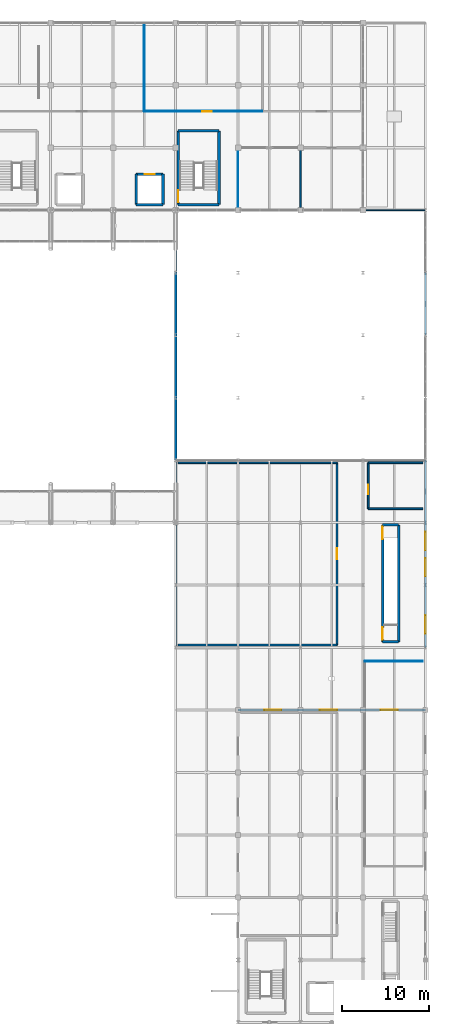
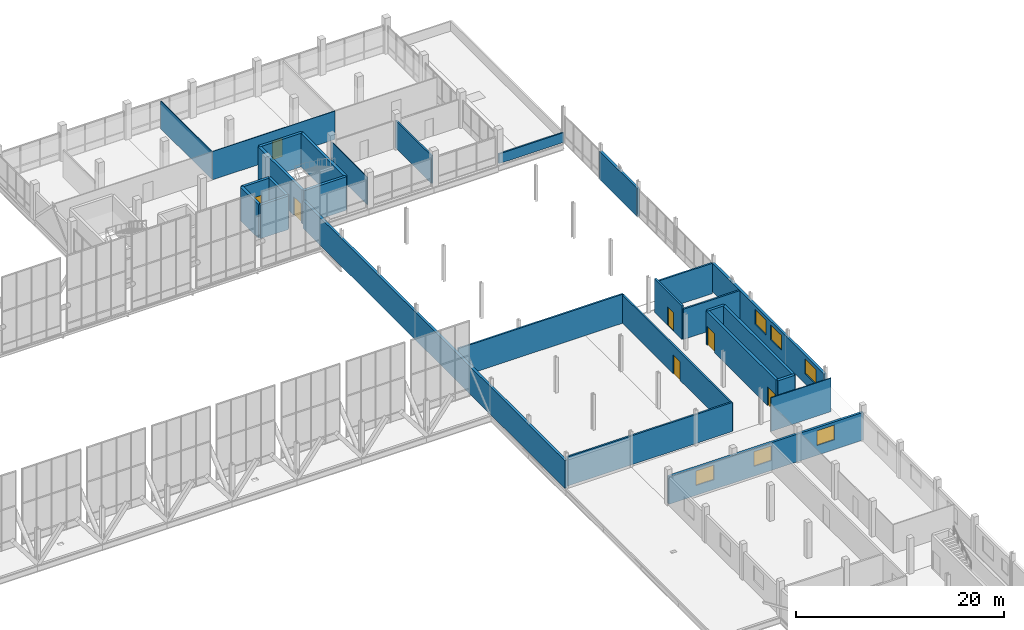
# One storey, part 95 of 102: 28 walls, 7 doors, 6 windows, 13 openings.
"""IFC4 building model written with IfcOpenShell, lengths in metres."""

from ifc_helpers import new_model, si_unit, direction, frame, frame_2d, origin, place, context, subcontext, project, spatial, rectangle, extrude, material, layer, layer_set, type_object, element, fill, save


model = new_model("IFC4")

# Units and contexts
model_context = context("Model", 3, precision=1e-05, world=origin(), true_north=direction((0.0, 1.0)))
body_context = subcontext(model_context, "Body", "Model", "MODEL_VIEW")
ifc_project = project(units=[si_unit("LENGTHUNIT", "METRE"), si_unit("AREAUNIT", "SQUARE_METRE"), si_unit("VOLUMEUNIT", "CUBIC_METRE"), si_unit("PLANEANGLEUNIT", "RADIAN"), si_unit("MASSUNIT", "GRAM", prefix="KILO")], contexts=[model_context])

# Site, building, storey
site_placement = place(None, origin())
site = spatial("IfcSite", under=ifc_project, at=site_placement, CompositionType="ELEMENT")
building_placement = place(site_placement, origin())
building = spatial("IfcBuilding", under=site, at=building_placement, Name="Yarey Park Central Fire Station", CompositionType="ELEMENT")
storey_placement = place(building_placement, frame((0.0, 0.0, 6.0)))
storey = spatial("IfcBuildingStorey", under=building, at=storey_placement, Name="L02", CompositionType="ELEMENT", Elevation=6.0)

# Wall, openings, windows
ifc_material_1 = material(Name="Concrete C35/45", Category="concrete")
ifc_layer_1 = layer(ifc_material_1, 0.280029296875)
ifc_layer_set_1 = layer_set([ifc_layer_1], Name="Concrete C35/45")
wall_type_1 = type_object("IfcWallType", Name="ENV_WALL_CMU280", PredefinedType="STANDARD", material=ifc_layer_set_1)
wall_1_placement = place(storey_placement, frame((165.60009765625, 43.199951171875, 0.0), z_axis=(0.0, 0.0, 1.0), x_axis=(0.0, 1.0, 0.0)))
wall_1 = element("IfcWall", 1, at=wall_1_placement, inside=storey, type_object=wall_type_1, Name="EW_L02_V5_E1", PredefinedType="STANDARD", context=body_context, shape_type="SweptSolid", body=[
    extrude(rectangle(XDim=21.60009765625, YDim=0.280029296875, at=frame_2d((10.800048828125, 0.0))), origin(), (0.0, 0.0, 1.0), 3.326904296875),
])
opening_1_placement = place(wall_1_placement, frame((1.60009765625, 0.0, 1.14990234375)))
opening_1 = element("IfcOpeningElement", 2, at=opening_1_placement, cuts=wall_1, Name="Opening WN-P212", PredefinedType="OPENING", context=body_context, shape_type="SweptSolid", body=[
    extrude(rectangle(XDim=2.1201171875, YDim=1.760009765625, at=frame_2d((1.06005859375, 0.8798828125))), frame((0.0, 0.14990234375, 0.0), z_axis=(0.0, -1.0, 0.0), x_axis=(1.0, 0.0, 0.0)), (0.0, 0.0, 1.0), 0.300048828125),
])
opening_2_placement = place(wall_1_placement, frame((8.199951171875, 0.0, 1.14990234375)))
opening_2 = element("IfcOpeningElement", 3, at=opening_2_placement, cuts=wall_1, Name="Opening WN-P212", PredefinedType="OPENING", context=body_context, shape_type="SweptSolid", body=[
    extrude(rectangle(XDim=2.1201171875, YDim=1.760009765625, at=frame_2d((1.06005859375, 0.8798828125))), frame((0.0, 0.14990234375, 0.0), z_axis=(0.0, -1.0, 0.0), x_axis=(1.0, 0.0, 0.0)), (0.0, 0.0, 1.0), 0.300048828125),
])
opening_3_placement = place(wall_1_placement, frame((11.199951171875, 0.0, 1.14990234375)))
opening_3 = element("IfcOpeningElement", 4, at=opening_3_placement, cuts=wall_1, Name="Opening WN-P212", PredefinedType="OPENING", context=body_context, shape_type="SweptSolid", body=[
    extrude(rectangle(XDim=2.1201171875, YDim=1.760009765625, at=frame_2d((1.06005859375, 0.8798828125))), frame((0.0, 0.14990234375, 0.0), z_axis=(0.0, -1.0, 0.0), x_axis=(1.0, 0.0, 0.0)), (0.0, 0.0, 1.0), 0.300048828125),
])
ifc_material_2 = material(Name="Laminated Hurricane Low-E Glass", Category="glass")
window_type_1 = type_object("IfcWindowType", Name="ENV_WIN_PUNCH_212", PartitioningType="SINGLE_PANEL", PredefinedType="WINDOW", material=ifc_material_2)
window_1_placement = place(opening_1_placement, origin())
window_1 = element("IfcWindow", 5, at=window_1_placement, inside=storey, type_object=window_type_1, Name="WIN_L02_V5E1_1", OverallHeight=1.760009765625, OverallWidth=2.1201171875, PartitioningType="SINGLE_PANEL", PredefinedType="WINDOW", context=body_context, shape_type="SweptSolid", body=[
    extrude(rectangle(XDim=2.1201171875, YDim=1.760009765625, at=frame_2d((1.06005859375, 0.8798828125))), frame((0.0, 0.030029296875, 0.0), z_axis=(0.0, -1.0, 0.0), x_axis=(1.0, 0.0, 0.0)), (0.0, 0.0, 1.0), 0.06005859375),
])
fill(opening_1, window_1)
window_2_placement = place(opening_2_placement, origin())
window_2 = element("IfcWindow", 6, at=window_2_placement, inside=storey, type_object=window_type_1, Name="WIN_L02_V5E1_2", OverallHeight=1.760009765625, OverallWidth=2.1201171875, PartitioningType="SINGLE_PANEL", PredefinedType="WINDOW", context=body_context, shape_type="SweptSolid", body=[
    extrude(rectangle(XDim=2.1201171875, YDim=1.760009765625, at=frame_2d((1.06005859375, 0.8798828125))), frame((0.0, 0.030029296875, 0.0), z_axis=(0.0, -1.0, 0.0), x_axis=(1.0, 0.0, 0.0)), (0.0, 0.0, 1.0), 0.06005859375),
])
fill(opening_2, window_2)
window_3_placement = place(opening_3_placement, origin())
window_3 = element("IfcWindow", 7, at=window_3_placement, inside=storey, type_object=window_type_1, Name="WIN_L02_V5E1_3", OverallHeight=1.760009765625, OverallWidth=2.1201171875, PartitioningType="SINGLE_PANEL", PredefinedType="WINDOW", context=body_context, shape_type="SweptSolid", body=[
    extrude(rectangle(XDim=2.1201171875, YDim=1.760009765625, at=frame_2d((1.06005859375, 0.8798828125))), frame((0.0, 0.030029296875, 0.0), z_axis=(0.0, -1.0, 0.0), x_axis=(1.0, 0.0, 0.0)), (0.0, 0.0, 1.0), 0.06005859375),
])
fill(opening_3, window_3)

# Walls
wall_2_placement = place(storey_placement, frame((165.60009765625, 79.199951171875, 0.0), z_axis=(0.0, 0.0, 1.0), x_axis=(0.0, 1.0, 0.0)))
element("IfcWall", 8, at=wall_2_placement, inside=storey, type_object=wall_type_1, Name="EW_L02_V5_E2", PredefinedType="STANDARD", context=body_context, shape_type="SweptSolid", body=[
    extrude(rectangle(XDim=7.199951171875, YDim=0.280029296875, at=frame_2d((3.60009765625, 0.0))), origin(), (0.0, 0.0, 1.0), 3.326904296875),
])
wall_3_placement = place(storey_placement, frame((136.800048828125, 93.60009765625, 0.0), z_axis=(0.0, 0.0, 1.0), x_axis=(0.0, -1.0, 0.0)))
element("IfcWall", 9, at=wall_3_placement, inside=storey, type_object=wall_type_1, Name="EW_L02_V5_W", PredefinedType="STANDARD", context=body_context, shape_type="SweptSolid", body=[
    extrude(rectangle(XDim=50.400146484375, YDim=0.280029296875, at=frame_2d((25.2001953125, 0.0))), origin(), (0.0, 0.0, 1.0), 3.2470703125),
])
ifc_layer_2 = layer(ifc_material_1, 0.1650390625)
ifc_layer_set_2 = layer_set([ifc_layer_2], Name="Concrete C35/45")
wall_type_2 = type_object("IfcWallType", Name="ENV_WALL_PAR165", PredefinedType="PARAPET", material=ifc_layer_set_2)
wall_4_placement = place(storey_placement, frame((158.39990234375, 93.60009765625, 0.0), z_axis=(0.0, 0.0, 1.0), x_axis=(1.0, 0.0, 0.0)))
element("IfcWall", 10, at=wall_4_placement, inside=storey, type_object=wall_type_2, Name="PAR_L02_06", PredefinedType="PARAPET", context=body_context, shape_type="SweptSolid", body=[
    extrude(rectangle(XDim=7.2001953125, YDim=0.1650390625, at=frame_2d((3.60009765625, 0.0))), origin(), (0.0, 0.0, 1.0), 1.14990234375),
])

# Wall, openings, windows
ifc_material_3 = material(Name="Concrete C40/50", Category="concrete")
ifc_layer_3 = layer(ifc_material_3, 0.2548828125)
ifc_layer_set_3 = layer_set([ifc_layer_3], Name="Concrete C40/50")
wall_type_3 = type_object("IfcWallType", Name="ENV_WALL_RC255", PredefinedType="STANDARD", material=ifc_layer_set_3)
wall_5_placement = place(storey_placement, frame((165.60009765625, 36.0, 0.0), z_axis=(0.0, 0.0, 1.0), x_axis=(-1.0, 0.0, 0.0)))
wall_5 = element("IfcWall", 11, at=wall_5_placement, inside=storey, type_object=wall_type_3, Name="EW_L02_V6_SMKN", PredefinedType="STANDARD", context=body_context, shape_type="SweptSolid", body=[
    extrude(rectangle(XDim=21.60009765625, YDim=0.2548828125, at=frame_2d((10.800048828125, 0.0))), origin(), (0.0, 0.0, 1.0), 3.25),
])
opening_4_placement = place(wall_5_placement, frame((3.199951171875, 0.0, 1.14990234375)))
opening_4 = element("IfcOpeningElement", 12, at=opening_4_placement, cuts=wall_5, Name="Opening WN-P198", PredefinedType="OPENING", context=body_context, shape_type="SweptSolid", body=[
    extrude(rectangle(XDim=1.97998046875, YDim=1.719970703125, at=frame_2d((0.989990234375, 0.85986328125))), frame((0.0, 0.137451171875, 0.0), z_axis=(0.0, -1.0, 0.0), x_axis=(1.0, 0.0, 0.0)), (0.0, 0.0, 1.0), 0.27490234375),
])
opening_5_placement = place(wall_5_placement, frame((10.199951171875, 0.0, 1.14990234375)))
opening_5 = element("IfcOpeningElement", 13, at=opening_5_placement, cuts=wall_5, Name="Opening WN-P198", PredefinedType="OPENING", context=body_context, shape_type="SweptSolid", body=[
    extrude(rectangle(XDim=1.97998046875, YDim=1.719970703125, at=frame_2d((0.989990234375, 0.85986328125))), frame((0.0, 0.137451171875, 0.0), z_axis=(0.0, -1.0, 0.0), x_axis=(1.0, 0.0, 0.0)), (0.0, 0.0, 1.0), 0.27490234375),
])
opening_6_placement = place(wall_5_placement, frame((16.60009765625, 0.0, 1.14990234375)))
opening_6 = element("IfcOpeningElement", 14, at=opening_6_placement, cuts=wall_5, Name="Opening WN-P198", PredefinedType="OPENING", context=body_context, shape_type="SweptSolid", body=[
    extrude(rectangle(XDim=1.97998046875, YDim=1.719970703125, at=frame_2d((0.989990234375, 0.85986328125))), frame((0.0, 0.137451171875, 0.0), z_axis=(0.0, -1.0, 0.0), x_axis=(1.0, 0.0, 0.0)), (0.0, 0.0, 1.0), 0.27490234375),
])
window_type_2 = type_object("IfcWindowType", Name="ENV_WIN_PUNCH_198", PartitioningType="SINGLE_PANEL", PredefinedType="WINDOW", material=ifc_material_2)
window_4_placement = place(opening_4_placement, origin())
window_4 = element("IfcWindow", 15, at=window_4_placement, inside=storey, type_object=window_type_2, Name="WIN_L02_SMKN_1", OverallHeight=1.719970703125, OverallWidth=1.97998046875, PartitioningType="SINGLE_PANEL", PredefinedType="WINDOW", context=body_context, shape_type="SweptSolid", body=[
    extrude(rectangle(XDim=1.97998046875, YDim=1.719970703125, at=frame_2d((0.989990234375, 0.85986328125))), frame((0.0, 0.030029296875, 0.0), z_axis=(0.0, -1.0, 0.0), x_axis=(1.0, 0.0, 0.0)), (0.0, 0.0, 1.0), 0.06005859375),
])
fill(opening_4, window_4)
window_5_placement = place(opening_5_placement, origin())
window_5 = element("IfcWindow", 16, at=window_5_placement, inside=storey, type_object=window_type_2, Name="WIN_L02_SMKN_2", OverallHeight=1.719970703125, OverallWidth=1.97998046875, PartitioningType="SINGLE_PANEL", PredefinedType="WINDOW", context=body_context, shape_type="SweptSolid", body=[
    extrude(rectangle(XDim=1.97998046875, YDim=1.719970703125, at=frame_2d((0.989990234375, 0.85986328125))), frame((0.0, 0.030029296875, 0.0), z_axis=(0.0, -1.0, 0.0), x_axis=(1.0, 0.0, 0.0)), (0.0, 0.0, 1.0), 0.06005859375),
])
fill(opening_5, window_5)
window_6_placement = place(opening_6_placement, origin())
window_6 = element("IfcWindow", 17, at=window_6_placement, inside=storey, type_object=window_type_2, Name="WIN_L02_SMKN_3", OverallHeight=1.719970703125, OverallWidth=1.97998046875, PartitioningType="SINGLE_PANEL", PredefinedType="WINDOW", context=body_context, shape_type="SweptSolid", body=[
    extrude(rectangle(XDim=1.97998046875, YDim=1.719970703125, at=frame_2d((0.989990234375, 0.85986328125))), frame((0.0, 0.030029296875, 0.0), z_axis=(0.0, -1.0, 0.0), x_axis=(1.0, 0.0, 0.0)), (0.0, 0.0, 1.0), 0.06005859375),
])
fill(opening_6, window_6)

# Wall
ifc_layer_4 = layer(ifc_material_3, 0.27001953125)
ifc_layer_set_4 = layer_set([ifc_layer_4], Name="Concrete C40/50")
wall_type_4 = type_object("IfcWallType", Name="INT_CORE_RC270", PredefinedType="SHEAR", material=ifc_layer_set_4)
wall_6_placement = place(storey_placement, frame((132.25, 94.25, 0.0), z_axis=(0.0, 0.0, 1.0), x_axis=(1.0, 0.0, 0.0)))
element("IfcWall", 18, at=wall_6_placement, inside=storey, type_object=wall_type_4, Name="LWALL_C2_L02_S", PredefinedType="SHEAR", context=body_context, shape_type="SweptSolid", body=[
    extrude(rectangle(XDim=3.10009765625, YDim=0.300048828125, at=frame_2d((1.550048828125, 0.0))), origin(), (0.0, 0.0, 1.0), 3.93994140625),
])

# Wall, opening, door
wall_7_placement = place(storey_placement, frame((135.35009765625, 97.75, 0.0), z_axis=(0.0, 0.0, 1.0), x_axis=(-1.0, 0.0, 0.0)))
wall_7 = element("IfcWall", 19, at=wall_7_placement, inside=storey, type_object=wall_type_4, Name="LWALL_C2_L02_N", PredefinedType="SHEAR", context=body_context, shape_type="SweptSolid", body=[
    extrude(rectangle(XDim=3.10009765625, YDim=0.300048828125, at=frame_2d((1.550048828125, 0.0))), origin(), (0.0, 0.0, 1.0), 3.93994140625),
])
opening_7_placement = place(wall_7_placement, frame((0.97998046875, 0.0, 0.0)))
opening_7 = element("IfcOpeningElement", 20, at=opening_7_placement, cuts=wall_7, Name="Opening LD-11B", PredefinedType="OPENING", context=body_context, shape_type="SweptSolid", body=[
    extrude(rectangle(XDim=1.139892578125, YDim=2.239990234375, at=frame_2d((0.56982421875, 1.1201171875))), frame((0.0, 0.159912109375, 0.0), z_axis=(0.0, -1.0, 0.0), x_axis=(1.0, 0.0, 0.0)), (0.0, 0.0, 1.0), 0.320068359375),
])
ifc_material_4 = material(Name="Stainless Steel AISI 316L", Category="steel")
door_type_1 = type_object("IfcDoorType", Name="DR_LD_1140", OperationType="NOTDEFINED", PredefinedType="DOOR", material=ifc_material_4)
door_1_placement = place(opening_7_placement, origin())
door_1 = element("IfcDoor", 21, at=door_1_placement, inside=storey, type_object=door_type_1, Name="Lift Landing Door LF-2-L02", OperationType="SLIDING_TO_LEFT", OverallHeight=2.239990234375, OverallWidth=1.139892578125, PredefinedType="DOOR", context=body_context, shape_type="SweptSolid", body=[
    extrude(rectangle(XDim=1.139892578125, YDim=2.239990234375, at=frame_2d((0.56982421875, 1.1201171875))), frame((0.0, 0.02490234375, 0.0), z_axis=(0.0, -1.0, 0.0), x_axis=(1.0, 0.0, 0.0)), (0.0, 0.0, 1.0), 0.050048828125),
])
fill(opening_7, door_1)

# Walls
for number, where, z_axis, x_axis, name in (
    (22, (132.25, 97.75, 0.0), (0.0, 0.0, 1.0), (0.0, -1.0, 0.0), "LWALL_C2_L02_W"),
    (23, (135.35009765625, 94.25, 0.0), (0.0, 0.0, 1.0), (0.0, 1.0, 0.0), "LWALL_C2_L02_E"),
):
    element("IfcWall", number, at=place(storey_placement, frame(where, z_axis=z_axis, x_axis=x_axis)), inside=storey, type_object=wall_type_4, Name=name, PredefinedType="SHEAR", context=body_context, shape_type="SweptSolid", body=[
        extrude(rectangle(XDim=3.5, YDim=0.300048828125, at=frame_2d((1.75, 0.0))), origin(), (0.0, 0.0, 1.0), 3.93994140625),
    ])
for number, where, z_axis, x_axis, name in (
    (24, (160.64990234375, 43.85009765625, 0.0), (0.0, 0.0, 1.0), (1.0, 0.0, 0.0), "CWALL_C7_L02_S"),
    (25, (162.5, 57.35009765625, 0.0), (0.0, 0.0, 1.0), (-1.0, 0.0, 0.0), "CWALL_C7_L02_N"),
):
    element("IfcWall", number, at=place(storey_placement, frame(where, z_axis=z_axis, x_axis=x_axis)), inside=storey, type_object=wall_type_4, Name=name, PredefinedType="SHEAR", context=body_context, shape_type="SweptSolid", body=[
        extrude(rectangle(XDim=1.85009765625, YDim=0.300048828125, at=frame_2d((0.925048828125, 0.0))), origin(), (0.0, 0.0, 1.0), 3.93994140625),
    ])

# Wall, openings, doors
wall_8_placement = place(storey_placement, frame((160.64990234375, 57.35009765625, 0.0), z_axis=(0.0, 0.0, 1.0), x_axis=(0.0, -1.0, 0.0)))
wall_8 = element("IfcWall", 26, at=wall_8_placement, inside=storey, type_object=wall_type_4, Name="CWALL_C7_L02_W", PredefinedType="SHEAR", context=body_context, shape_type="SweptSolid", body=[
    extrude(rectangle(XDim=13.5, YDim=0.300048828125, at=frame_2d((6.75, 0.0))), origin(), (0.0, 0.0, 1.0), 3.93994140625),
])
opening_8_placement = place(wall_8_placement, frame((11.830078125, 0.0, 0.0)))
opening_8 = element("IfcOpeningElement", 27, at=opening_8_placement, cuts=wall_8, Name="Opening SD-142", PredefinedType="OPENING", context=body_context, shape_type="SweptSolid", body=[
    extrude(rectangle(XDim=1.419921875, YDim=2.219970703125, at=frame_2d((0.7099609375, 1.10986328125))), frame((0.0, 0.159912109375, 0.0), z_axis=(0.0, -1.0, 0.0), x_axis=(1.0, 0.0, 0.0)), (0.0, 0.0, 1.0), 0.320068359375),
])
opening_9_placement = place(wall_8_placement, frame((0.219970703125, 0.0, 0.0)))
opening_9 = element("IfcOpeningElement", 28, at=opening_9_placement, cuts=wall_8, Name="Opening SD-142", PredefinedType="OPENING", context=body_context, shape_type="SweptSolid", body=[
    extrude(rectangle(XDim=1.419921875, YDim=2.219970703125, at=frame_2d((0.7099609375, 1.10986328125))), frame((0.0, 0.159912109375, 0.0), z_axis=(0.0, -1.0, 0.0), x_axis=(1.0, 0.0, 0.0)), (0.0, 0.0, 1.0), 0.320068359375),
])
ifc_material_5 = material(Name="Galvanized Hollow Metal Door", Category="metal")
door_type_2 = type_object("IfcDoorType", Name="DR_STAIR_1420", OperationType="NOTDEFINED", PredefinedType="DOOR", material=ifc_material_5)
door_2_placement = place(opening_8_placement, origin())
door_2 = element("IfcDoor", 29, at=door_2_placement, inside=storey, type_object=door_type_2, Name="DOOR_STAIR_C7_L02", OperationType="SINGLE_SWING_LEFT", OverallHeight=2.219970703125, OverallWidth=1.419921875, PredefinedType="DOOR", context=body_context, shape_type="SweptSolid", body=[
    extrude(rectangle(XDim=1.419921875, YDim=2.219970703125, at=frame_2d((0.7099609375, 1.10986328125))), frame((0.0, 0.02490234375, 0.0), z_axis=(0.0, -1.0, 0.0), x_axis=(1.0, 0.0, 0.0)), (0.0, 0.0, 1.0), 0.050048828125),
])
fill(opening_8, door_2)
door_3_placement = place(opening_9_placement, origin())
door_3 = element("IfcDoor", 30, at=door_3_placement, inside=storey, type_object=door_type_2, Name="DOOR_STAIR_C7_L02_ARR", OperationType="SINGLE_SWING_RIGHT", OverallHeight=2.219970703125, OverallWidth=1.419921875, PredefinedType="DOOR", context=body_context, shape_type="SweptSolid", body=[
    extrude(rectangle(XDim=1.419921875, YDim=2.219970703125, at=frame_2d((0.7099609375, 1.10986328125))), frame((0.0, 0.02490234375, 0.0), z_axis=(0.0, -1.0, 0.0), x_axis=(1.0, 0.0, 0.0)), (0.0, 0.0, 1.0), 0.050048828125),
])
fill(opening_9, door_3)

# Walls
wall_9_placement = place(storey_placement, frame((162.5, 43.85009765625, 0.0), z_axis=(0.0, 0.0, 1.0), x_axis=(0.0, 1.0, 0.0)))
element("IfcWall", 31, at=wall_9_placement, inside=storey, type_object=wall_type_4, Name="CWALL_C7_L02_E", PredefinedType="SHEAR", context=body_context, shape_type="SweptSolid", body=[
    extrude(rectangle(XDim=13.5, YDim=0.300048828125, at=frame_2d((6.75, 0.0))), origin(), (0.0, 0.0, 1.0), 3.93994140625),
])
ifc_layer_5 = layer(ifc_material_3, 0.300048828125)
ifc_layer_set_5 = layer_set([ifc_layer_5], Name="Concrete C40/50")
wall_type_5 = type_object("IfcWallType", Name="INT_CORE_RC300", PredefinedType="SHEAR", material=ifc_layer_set_5)
for number, where, z_axis, x_axis, name in (
    (32, (137.10009765625, 94.25, 0.0), (0.0, 0.0, 1.0), (1.0, 0.0, 0.0), "CWALL_C2_L02_S"),
    (33, (141.800048828125, 102.75, 0.0), (0.0, 0.0, 1.0), (-1.0, 0.0, 0.0), "CWALL_C2_L02_N"),
):
    element("IfcWall", number, at=place(storey_placement, frame(where, z_axis=z_axis, x_axis=x_axis)), inside=storey, type_object=wall_type_5, Name=name, PredefinedType="SHEAR", context=body_context, shape_type="SweptSolid", body=[
        extrude(rectangle(XDim=4.699951171875, YDim=0.300048828125, at=frame_2d((2.35009765625, 0.0))), origin(), (0.0, 0.0, 1.0), 3.93994140625),
    ])

# Wall, opening, door
wall_10_placement = place(storey_placement, frame((137.10009765625, 102.75, 0.0), z_axis=(0.0, 0.0, 1.0), x_axis=(0.0, -1.0, 0.0)))
wall_10 = element("IfcWall", 34, at=wall_10_placement, inside=storey, type_object=wall_type_5, Name="CWALL_C2_L02_W", PredefinedType="SHEAR", context=body_context, shape_type="SweptSolid", body=[
    extrude(rectangle(XDim=8.5, YDim=0.300048828125, at=frame_2d((4.25, 0.0))), origin(), (0.0, 0.0, 1.0), 3.93994140625),
])
opening_10_placement = place(wall_10_placement, frame((6.830078125, 0.0, 0.0)))
opening_10 = element("IfcOpeningElement", 35, at=opening_10_placement, cuts=wall_10, Name="Opening SD-142", PredefinedType="OPENING", context=body_context, shape_type="SweptSolid", body=[
    extrude(rectangle(XDim=1.419921875, YDim=2.219970703125, at=frame_2d((0.7099609375, 1.10986328125))), frame((0.0, 0.159912109375, 0.0), z_axis=(0.0, -1.0, 0.0), x_axis=(1.0, 0.0, 0.0)), (0.0, 0.0, 1.0), 0.320068359375),
])
door_4_placement = place(opening_10_placement, origin())
door_4 = element("IfcDoor", 36, at=door_4_placement, inside=storey, type_object=door_type_2, Name="DOOR_STAIR_C2_L02", OperationType="SINGLE_SWING_RIGHT", OverallHeight=2.219970703125, OverallWidth=1.419921875, PredefinedType="DOOR", context=body_context, shape_type="SweptSolid", body=[
    extrude(rectangle(XDim=1.419921875, YDim=2.219970703125, at=frame_2d((0.7099609375, 1.10986328125))), frame((0.0, 0.02490234375, 0.0), z_axis=(0.0, -1.0, 0.0), x_axis=(1.0, 0.0, 0.0)), (0.0, 0.0, 1.0), 0.050048828125),
])
fill(opening_10, door_4)

# Walls
wall_11_placement = place(storey_placement, frame((141.800048828125, 94.25, 0.0), z_axis=(0.0, 0.0, 1.0), x_axis=(0.0, 1.0, 0.0)))
element("IfcWall", 37, at=wall_11_placement, inside=storey, type_object=wall_type_5, Name="CWALL_C2_L02_E", PredefinedType="SHEAR", context=body_context, shape_type="SweptSolid", body=[
    extrude(rectangle(XDim=8.5, YDim=0.300048828125, at=frame_2d((4.25, 0.0))), origin(), (0.0, 0.0, 1.0), 3.93994140625),
])
ifc_material_6 = material(Name="Gypsum Shaftliner Assembly", Category="gypsum")
ifc_layer_6 = layer(ifc_material_6, 0.169921875)
ifc_layer_set_6 = layer_set([ifc_layer_6], Name="Gypsum Shaftliner Assembly")
wall_type_6 = type_object("IfcWallType", Name="INT_WALL_AC170", PredefinedType="STANDARD", material=ifc_layer_set_6)
wall_12_placement = place(storey_placement, frame((151.199951171875, 93.89990234375, 0.0), z_axis=(0.0, 0.0, 1.0), x_axis=(0.0, 1.0, 0.0)))
element("IfcWall", 38, at=wall_12_placement, inside=storey, type_object=wall_type_6, Name="PART_SPC_L02_V4_WCM_EAST", PredefinedType="STANDARD", context=body_context, shape_type="SweptSolid", body=[
    extrude(rectangle(XDim=6.900146484375, YDim=0.169921875, at=frame_2d((3.4501953125, 0.0))), origin(), (0.0, 0.0, 1.0), 3.2470703125),
])
ifc_layer_7 = layer(ifc_material_1, 0.18994140625)
ifc_layer_set_7 = layer_set([ifc_layer_7], Name="Concrete C35/45")
wall_type_7 = type_object("IfcWallType", Name="INT_WALL_CMU190", PredefinedType="STANDARD", material=ifc_layer_set_7)
for number, where, z_axis, x_axis, name in (
    (39, (137.10009765625, 43.5, 0.0), (0.0, 0.0, 1.0), (1.0, 0.0, 0.0), "PART_SPC_L02_QMASTER_SOUTH"),
    (40, (155.39990234375, 64.5, 0.0), (0.0, 0.0, 1.0), (-1.0, 0.0, 0.0), "PART_SPC_L02_QMASTER_NORTH"),
):
    element("IfcWall", number, at=place(storey_placement, frame(where, z_axis=z_axis, x_axis=x_axis)), inside=storey, type_object=wall_type_7, Name=name, PredefinedType="STANDARD", context=body_context, shape_type="SweptSolid", body=[
        extrude(rectangle(XDim=18.2998046875, YDim=0.18994140625, at=frame_2d((9.14990234375, 0.0))), origin(), (0.0, 0.0, 1.0), 3.407958984375),
    ])

# Wall, opening, door
wall_13_placement = place(storey_placement, frame((155.39990234375, 43.5, 0.0), z_axis=(0.0, 0.0, 1.0), x_axis=(0.0, 1.0, 0.0)))
wall_13 = element("IfcWall", 41, at=wall_13_placement, inside=storey, type_object=wall_type_7, Name="PART_SPC_L02_QMASTER_EAST", PredefinedType="STANDARD", context=body_context, shape_type="SweptSolid", body=[
    extrude(rectangle(XDim=21.0, YDim=0.18994140625, at=frame_2d((10.5, 0.0))), origin(), (0.0, 0.0, 1.0), 3.326904296875),
])
opening_11_placement = place(wall_13_placement, frame((9.860107421875, 0.0, 0.0)))
opening_11 = element("IfcOpeningElement", 42, at=opening_11_placement, cuts=wall_13, Name="Opening FD-128", PredefinedType="OPENING", context=body_context, shape_type="SweptSolid", body=[
    extrude(rectangle(XDim=1.280029296875, YDim=2.219970703125, at=frame_2d((0.64013671875, 1.10986328125))), frame((0.0, 0.10498046875, 0.0), z_axis=(0.0, -1.0, 0.0), x_axis=(1.0, 0.0, 0.0)), (0.0, 0.0, 1.0), 0.2099609375),
])
door_type_3 = type_object("IfcDoorType", Name="DR_FD_1280", OperationType="NOTDEFINED", PredefinedType="DOOR", material=ifc_material_5)
door_5_placement = place(opening_11_placement, origin())
door_5 = element("IfcDoor", 43, at=door_5_placement, inside=storey, type_object=door_type_3, Name="DOOR_SPC_L02_QMASTER", OperationType="SINGLE_SWING_LEFT", OverallHeight=2.219970703125, OverallWidth=1.280029296875, PredefinedType="DOOR", context=body_context, shape_type="SweptSolid", body=[
    extrude(rectangle(XDim=1.280029296875, YDim=2.219970703125, at=frame_2d((0.64013671875, 1.10986328125))), frame((0.0, 0.02490234375, 0.0), z_axis=(0.0, -1.0, 0.0), x_axis=(1.0, 0.0, 0.0)), (0.0, 0.0, 1.0), 0.050048828125),
])
fill(opening_11, door_5)

# Walls
for number, where, z_axis, x_axis, name in (
    (44, (159.0, 59.199951171875, 0.0), (0.0, 0.0, 1.0), (1.0, 0.0, 0.0), "PART_SPC_L02_AHU_SOUTH"),
    (45, (165.300048828125, 64.5, 0.0), (0.0, 0.0, 1.0), (-1.0, 0.0, 0.0), "PART_SPC_L02_AHU_NORTH"),
):
    element("IfcWall", number, at=place(storey_placement, frame(where, z_axis=z_axis, x_axis=x_axis)), inside=storey, type_object=wall_type_7, Name=name, PredefinedType="STANDARD", context=body_context, shape_type="SweptSolid", body=[
        extrude(rectangle(XDim=6.300048828125, YDim=0.18994140625, at=frame_2d((3.14990234375, 0.0))), origin(), (0.0, 0.0, 1.0), 3.56298828125),
    ])

# Wall, opening, door
wall_14_placement = place(storey_placement, frame((159.0, 64.5, 0.0), z_axis=(0.0, 0.0, 1.0), x_axis=(0.0, -1.0, 0.0)))
wall_14 = element("IfcWall", 46, at=wall_14_placement, inside=storey, type_object=wall_type_7, Name="PART_SPC_L02_AHU_WEST", PredefinedType="STANDARD", context=body_context, shape_type="SweptSolid", body=[
    extrude(rectangle(XDim=5.300048828125, YDim=0.18994140625, at=frame_2d((2.64990234375, 0.0))), origin(), (0.0, 0.0, 1.0), 3.93994140625),
])
opening_12_placement = place(wall_14_placement, frame((2.550048828125, 0.0, 0.0)))
opening_12 = element("IfcOpeningElement", 47, at=opening_12_placement, cuts=wall_14, Name="Opening FD-110", PredefinedType="OPENING", context=body_context, shape_type="SweptSolid", body=[
    extrude(rectangle(XDim=1.10009765625, YDim=2.159912109375, at=frame_2d((0.550048828125, 1.080078125))), frame((0.0, 0.10498046875, 0.0), z_axis=(0.0, -1.0, 0.0), x_axis=(1.0, 0.0, 0.0)), (0.0, 0.0, 1.0), 0.2099609375),
])
door_type_4 = type_object("IfcDoorType", Name="DR_FD_1100", OperationType="NOTDEFINED", PredefinedType="DOOR", material=ifc_material_5)
door_6_placement = place(opening_12_placement, origin())
door_6 = element("IfcDoor", 48, at=door_6_placement, inside=storey, type_object=door_type_4, Name="DOOR_SPC_L02_AHU", OperationType="SINGLE_SWING_RIGHT", OverallHeight=2.159912109375, OverallWidth=1.10009765625, PredefinedType="DOOR", context=body_context, shape_type="SweptSolid", body=[
    extrude(rectangle(XDim=1.10009765625, YDim=2.159912109375, at=frame_2d((0.550048828125, 1.080078125))), frame((0.0, 0.02490234375, 0.0), z_axis=(0.0, -1.0, 0.0), x_axis=(1.0, 0.0, 0.0)), (0.0, 0.0, 1.0), 0.050048828125),
])
fill(opening_12, door_6)

ifc_material_7 = material(Name="Gypsum Acoustic Partition", Category="gypsum")
ifc_layer_8 = layer(ifc_material_7, 0.0859375)
ifc_layer_set_8 = layer_set([ifc_layer_8], Name="Gypsum Acoustic Partition")
wall_type_8 = type_object("IfcWallType", Name="INT_WALL_PT086", PredefinedType="STANDARD", material=ifc_layer_set_8)
wall_15_placement = place(storey_placement, frame((133.199951171875, 105.0, 0.0), z_axis=(0.0, 0.0, 1.0), x_axis=(1.0, 0.0, 0.0)))
wall_15 = element("IfcWall", 49, at=wall_15_placement, inside=storey, type_object=wall_type_8, Name="PART_SPC_L02_OPS2_SOUTH", PredefinedType="STANDARD", context=body_context, shape_type="SweptSolid", body=[
    extrude(rectangle(XDim=13.60009765625, YDim=0.0859375, at=frame_2d((6.800048828125, 0.0))), origin(), (0.0, 0.0, 1.0), 3.327880859375),
])
opening_13_placement = place(wall_15_placement, frame((6.64990234375, 0.0, 0.0)))
opening_13 = element("IfcOpeningElement", 50, at=opening_13_placement, cuts=wall_15, Name="Opening ID-110", PredefinedType="OPENING", context=body_context, shape_type="SweptSolid", body=[
    extrude(rectangle(XDim=1.10009765625, YDim=2.199951171875, at=frame_2d((0.550048828125, 1.10009765625))), frame((0.0, 0.052978515625, 0.0), z_axis=(0.0, -1.0, 0.0), x_axis=(1.0, 0.0, 0.0)), (0.0, 0.0, 1.0), 0.10595703125),
])
ifc_material_8 = material(Name="Hardwood Acoustic Leaf", Category="wood")
door_type_5 = type_object("IfcDoorType", Name="DR_INT_1100", OperationType="NOTDEFINED", PredefinedType="DOOR", material=ifc_material_8)
door_7_placement = place(opening_13_placement, origin())
door_7 = element("IfcDoor", 51, at=door_7_placement, inside=storey, type_object=door_type_5, Name="DOOR_SPC_L02_OPS2", OperationType="SINGLE_SWING_RIGHT", OverallHeight=2.199951171875, OverallWidth=1.10009765625, PredefinedType="DOOR", context=body_context, shape_type="SweptSolid", body=[
    extrude(rectangle(XDim=1.10009765625, YDim=2.199951171875, at=frame_2d((0.550048828125, 1.10009765625))), frame((0.0, 0.02490234375, 0.0), z_axis=(0.0, -1.0, 0.0), x_axis=(1.0, 0.0, 0.0)), (0.0, 0.0, 1.0), 0.050048828125),
])
fill(opening_13, door_7)

# Walls
wall_16_placement = place(storey_placement, frame((144.0, 100.800048828125, 0.0), z_axis=(0.0, 0.0, 1.0), x_axis=(0.0, -1.0, 0.0)))
element("IfcWall", 52, at=wall_16_placement, inside=storey, type_object=wall_type_8, Name="PART_SPC_L02_V4_WCM_WEST", PredefinedType="STANDARD", context=body_context, shape_type="SweptSolid", body=[
    extrude(rectangle(XDim=6.900146484375, YDim=0.0859375, at=frame_2d((3.4501953125, 0.0))), origin(), (0.0, 0.0, 1.0), 3.2470703125),
])
ifc_layer_9 = layer(ifc_material_7, 0.10205078125)
ifc_layer_set_9 = layer_set([ifc_layer_9], Name="Gypsum Acoustic Partition")
wall_type_9 = type_object("IfcWallType", Name="INT_WALL_PT102", PredefinedType="STANDARD", material=ifc_layer_set_9)
wall_17_placement = place(storey_placement, frame((133.199951171875, 105.0, 0.0), z_axis=(0.0, 0.0, 1.0), x_axis=(0.0, 1.0, 0.0)))
element("IfcWall", 53, at=wall_17_placement, inside=storey, type_object=wall_type_9, Name="PART_SPC_L02_OPS1_EAST", PredefinedType="STANDARD", context=body_context, shape_type="SweptSolid", body=[
    extrude(rectangle(XDim=9.89990234375, YDim=0.10205078125, at=frame_2d((4.949951171875, 0.0))), origin(), (0.0, 0.0, 1.0), 3.2470703125),
])
wall_18_placement = place(storey_placement, frame((165.300048828125, 41.60009765625, 0.0), z_axis=(0.0, 0.0, 1.0), x_axis=(-1.0, 0.0, 0.0)))
element("IfcWall", 54, at=wall_18_placement, inside=storey, type_object=wall_type_9, Name="PART_SPC_L02_INSTRUCT_NORTH", PredefinedType="STANDARD", context=body_context, shape_type="SweptSolid", body=[
    extrude(rectangle(XDim=6.699951171875, YDim=0.10205078125, at=frame_2d((3.35009765625, 0.0))), origin(), (0.0, 0.0, 1.0), 3.93994140625),
])

save(model, "model.ifc")
